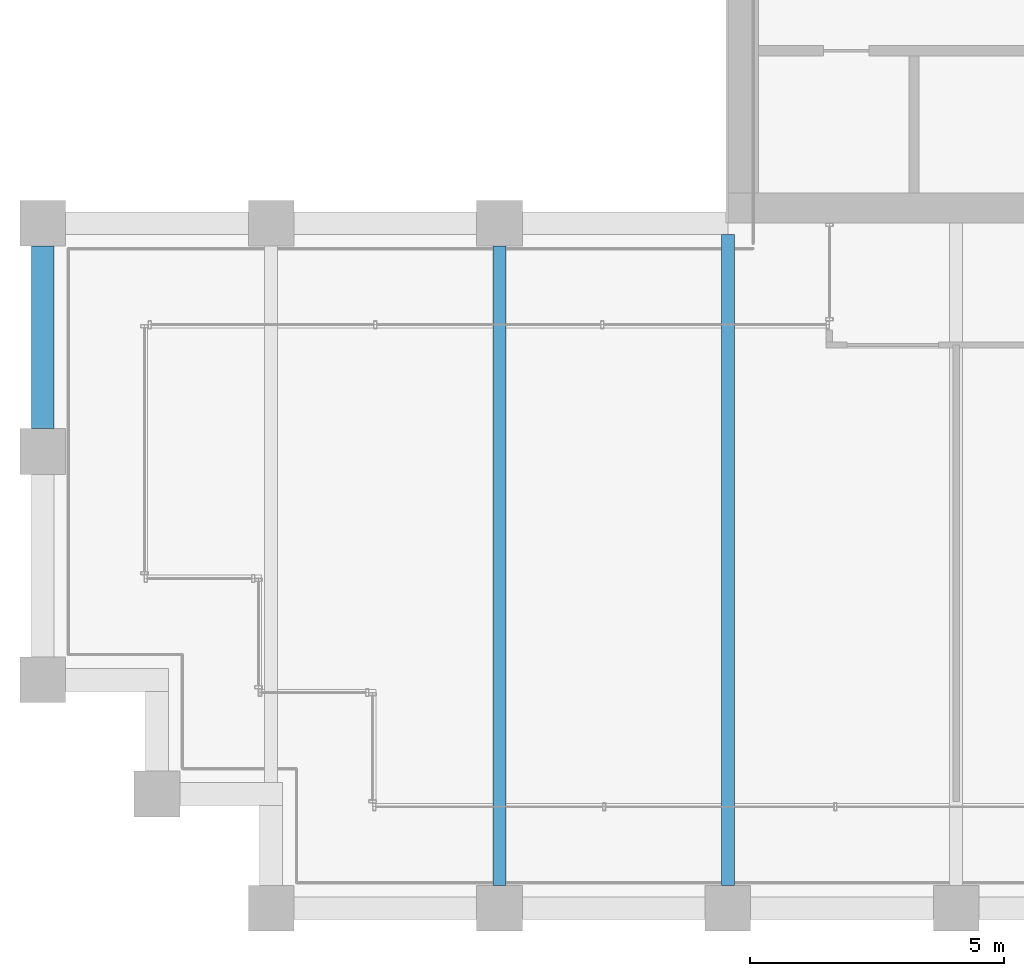
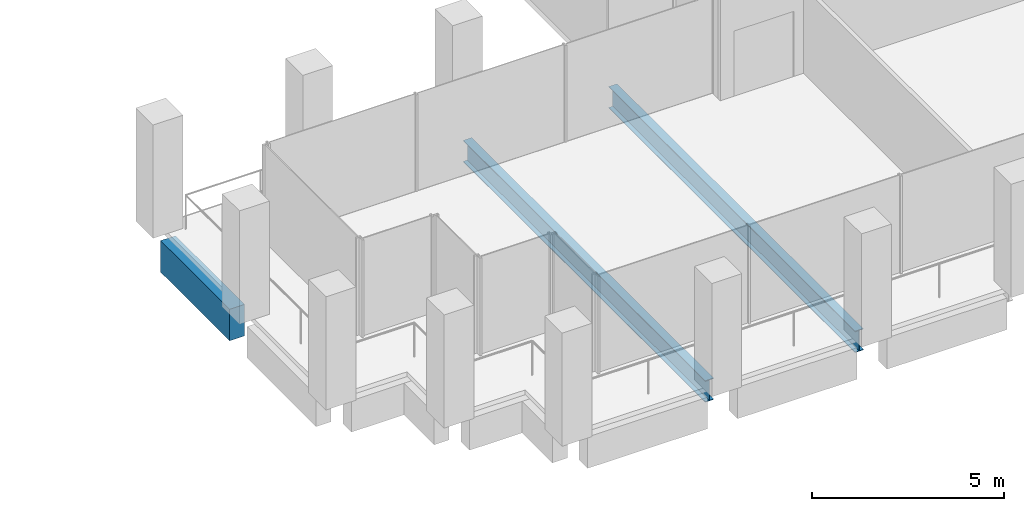
# One storey, part 4 of 40: 3 beams.
"""IFC4 building model written with IfcOpenShell, lengths in metres."""

from ifc_helpers import new_model, si_unit, direction, frame, origin, origin_2d, place, context, subcontext, project, spatial, rectangle, i_section, extrude, material, material_profile, profile_set, type_object, element, save


model = new_model("IFC4")

# Units and contexts
model_context = context("Model", 3, precision=1e-05, world=origin(), true_north=direction((0.0, 1.0)))
body_context = subcontext(model_context, "Body", "Model", "MODEL_VIEW")
ifc_project = project(units=[si_unit("LENGTHUNIT", "METRE"), si_unit("AREAUNIT", "SQUARE_METRE"), si_unit("VOLUMEUNIT", "CUBIC_METRE"), si_unit("PLANEANGLEUNIT", "RADIAN"), si_unit("MASSUNIT", "GRAM", prefix="KILO")], contexts=[model_context])

# Site, building, storey
site_placement = place(None, origin())
site = spatial("IfcSite", under=ifc_project, at=site_placement, CompositionType="ELEMENT")
building_placement = place(site_placement, origin())
building = spatial("IfcBuilding", under=site, at=building_placement, Name="Altepetl Exchange Towers", CompositionType="ELEMENT")
storey_placement = place(building_placement, frame((0.0, 0.0, 179.800048828125)))
storey = spatial("IfcBuildingStorey", under=building, at=storey_placement, Name="L45", CompositionType="ELEMENT", Elevation=179.800048828125)

# Beams
ifc_material_1 = material(Name="Steel S355", Category="steel")
ifc_material_profile_1 = material_profile(ifc_material_1, i_section(OverallWidth=0.25390625, OverallDepth=0.68408203125, WebThickness=0.012451171875, FlangeThickness=0.018798828125, at=origin_2d()), Name="W27X94")
ifc_profile_set_1 = profile_set([ifc_material_profile_1], Name="Steel S355")
beam_type_1 = type_object("IfcBeamType", Name="Floor beam W27X94", PredefinedType="BEAM", material=ifc_profile_set_1)
beam_1_placement = place(storey_placement, frame((36.0, 27.449951171875, -0.491943359375), z_axis=(0.0, 1.0, 0.0), x_axis=(-1.0, 0.0, 0.0)))
element("IfcBeam", 1, at=beam_1_placement, inside=storey, type_object=beam_type_1, Name="bm:A:L45:013", PredefinedType="BEAM", context=body_context, shape_type="SweptSolid", body=[
    extrude(i_section(OverallWidth=0.25390625, OverallDepth=0.68408203125, WebThickness=0.012451171875, FlangeThickness=0.018798828125, at=origin_2d()), origin(), (0.0, 0.0, 1.0), 12.60009765625),
])
beam_2_placement = place(storey_placement, frame((40.5, 27.449951171875, -0.491943359375), z_axis=(0.0, 1.0, 0.0), x_axis=(-1.0, 0.0, 0.0)))
element("IfcBeam", 2, at=beam_2_placement, inside=storey, type_object=beam_type_1, Name="bm:A:L45:014", PredefinedType="BEAM", context=body_context, shape_type="SweptSolid", body=[
    extrude(i_section(OverallWidth=0.25390625, OverallDepth=0.68408203125, WebThickness=0.012451171875, FlangeThickness=0.018798828125, at=origin_2d()), origin(), (0.0, 0.0, 1.0), 12.824951171875),
])
ifc_material_2 = material(Name="Concrete C50/60 precast with cantera blanca facing", Category="concrete")
ifc_material_profile_2 = material_profile(ifc_material_2, rectangle(XDim=0.449951171875, YDim=1.0, at=origin_2d()), Name="450 x 1000")
ifc_profile_set_2 = profile_set([ifc_material_profile_2], Name="Concrete C50/60 precast with cantera blanca facing")
beam_type_2 = type_object("IfcBeamType", Name="Spandrel beam 450x1000 cantera blanca", PredefinedType="SPANDREL", material=ifc_profile_set_2)
beam_3_placement = place(storey_placement, frame((27.0, 40.050048828125, -0.650146484375), z_axis=(0.0, -1.0, 0.0), x_axis=(1.0, 0.0, 0.0)))
element("IfcBeam", 3, at=beam_3_placement, inside=storey, type_object=beam_type_2, Name="sp:A:L45:036", PredefinedType="SPANDREL", context=body_context, shape_type="SweptSolid", body=[
    extrude(rectangle(XDim=0.449951171875, YDim=1.0, at=origin_2d()), origin(), (0.0, 0.0, 1.0), 3.60009765625),
])

save(model, "model.ifc")
